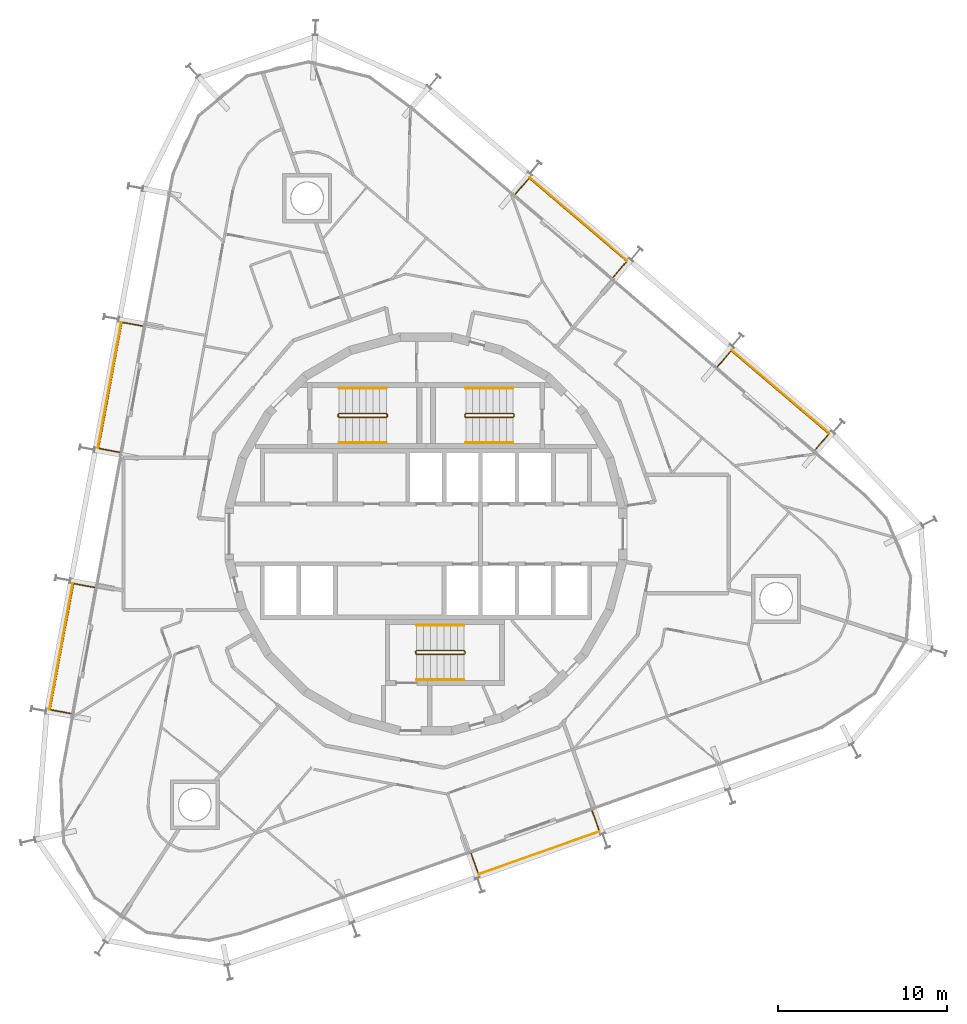
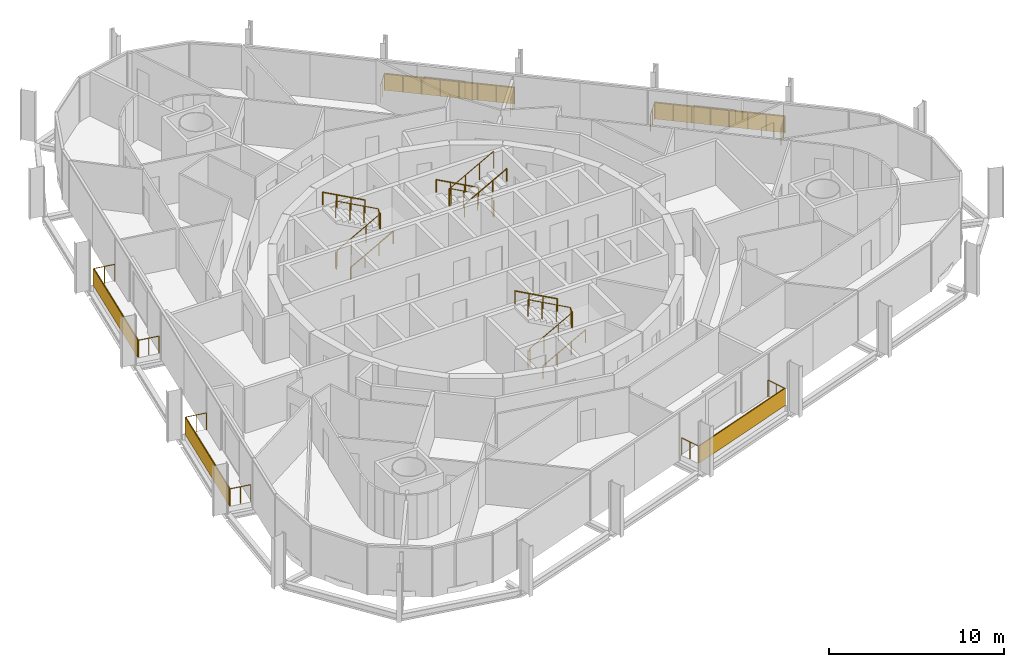
# One storey, part 17 of 17: 14 railings, 5 shading devices.
"""IFC4 building model written with IfcOpenShell, lengths in metres."""

from ifc_helpers import new_model, si_unit, direction, frame, origin, origin_2d, place, context, subcontext, project, spatial, rectangle, circle, extrude, material, layer, layer_set, type_object, element, save


model = new_model("IFC4")

# Units and contexts
model_context = context("Model", 3, precision=1e-05, world=origin(), true_north=direction((0.0, 1.0)))
body_context = subcontext(model_context, "Body", "Model", "MODEL_VIEW")
ifc_project = project(units=[si_unit("LENGTHUNIT", "METRE"), si_unit("AREAUNIT", "SQUARE_METRE"), si_unit("VOLUMEUNIT", "CUBIC_METRE"), si_unit("PLANEANGLEUNIT", "RADIAN"), si_unit("MASSUNIT", "GRAM", prefix="KILO")], contexts=[model_context])

# Site, building, storey
site_placement = place(None, origin())
site = spatial("IfcSite", under=ifc_project, at=site_placement, CompositionType="ELEMENT")
building_placement = place(site_placement, origin())
building = spatial("IfcBuilding", under=site, at=building_placement, Name="Spindle Arch Residences", CompositionType="ELEMENT")
storey_placement = place(building_placement, frame((0.0, 0.0, 162.199951171875)))
storey = spatial("IfcBuildingStorey", under=building, at=storey_placement, Name="L40", CompositionType="ELEMENT", Elevation=162.199951171875)

# Railings
ifc_material_1 = material(Name="Bronze anodised aluminium guard with glass infill", Category="aluminium")
railing_type_1 = type_object("IfcRailingType", Name="Balcony guard 1200", PredefinedType="GUARDRAIL", material=ifc_material_1)
railing_1_placement = place(storey_placement, frame((23.014404296875, 4.966064453125, 0.0)))
element("IfcRailing", 1, at=railing_1_placement, inside=storey, type_object=railing_type_1, Name="Guard L40 bay 6", PredefinedType="GUARDRAIL", context=body_context, shape_type="SweptSolid", body=[
    extrude(circle(Radius=0.02392578125, at=origin_2d()), frame((0.0, 0.0, 1.17578125), z_axis=(0.64956818112, 0.760303346091, 0.0), x_axis=(-0.760303346091, 0.64956818112, 0.0)), (0.0, 0.0, 1.0), 1.25),
    extrude(circle(Radius=0.02392578125, at=origin_2d()), frame((0.81201171875, 0.950439453125, 1.17578125), z_axis=(-0.760411072194, 0.64944206923, 0.0), x_axis=(-0.64944206923, -0.760411072194, 0.0)), (0.0, 0.0, 1.0), 7.59033203125),
    extrude(circle(Radius=0.02392578125, at=origin_2d()), frame((-4.959716796875, 5.8798828125, 1.17578125), z_axis=(-0.64945526422, -0.760399802589, 0.0), x_axis=(0.760399802589, -0.64945526422, 0.0)), (0.0, 0.0, 1.0), 1.25),
    extrude(circle(Radius=0.02099609375, at=origin_2d()), origin(), (0.0, 0.0, 1.0), 1.15185546875),
    extrude(circle(Radius=0.02099609375, at=origin_2d()), frame((0.406005859375, 0.47509765625, 0.0)), (0.0, 0.0, 1.0), 1.15185546875),
    extrude(circle(Radius=0.02099609375, at=origin_2d()), frame((0.81201171875, 0.950439453125, 0.0)), (0.0, 0.0, 1.0), 1.15185546875),
    extrude(circle(Radius=0.02099609375, at=origin_2d()), frame((-0.012451171875, 1.654541015625, 0.0)), (0.0, 0.0, 1.0), 1.15185546875),
    extrude(circle(Radius=0.02099609375, at=origin_2d()), frame((-0.837158203125, 2.35888671875, 0.0)), (0.0, 0.0, 1.0), 1.15185546875),
    extrude(circle(Radius=0.02099609375, at=origin_2d()), frame((-1.66162109375, 3.06298828125, 0.0)), (0.0, 0.0, 1.0), 1.15185546875),
    extrude(circle(Radius=0.02099609375, at=origin_2d()), frame((-2.486083984375, 3.767333984375, 0.0)), (0.0, 0.0, 1.0), 1.15185546875),
    extrude(circle(Radius=0.02099609375, at=origin_2d()), frame((-3.310546875, 4.471435546875, 0.0)), (0.0, 0.0, 1.0), 1.15185546875),
    extrude(circle(Radius=0.02099609375, at=origin_2d()), frame((-4.13525390625, 5.17578125, 0.0)), (0.0, 0.0, 1.0), 1.15185546875),
    extrude(circle(Radius=0.02099609375, at=origin_2d()), frame((-4.959716796875, 5.8798828125, 0.0)), (0.0, 0.0, 1.0), 1.15185546875),
    extrude(circle(Radius=0.02099609375, at=origin_2d()), frame((-5.36572265625, 5.40478515625, 0.0)), (0.0, 0.0, 1.0), 1.15185546875),
    extrude(circle(Radius=0.02099609375, at=origin_2d()), frame((-5.771484375, 4.929443359375, 0.0)), (0.0, 0.0, 1.0), 1.15185546875),
])
railing_2_placement = place(storey_placement, frame((11.060791015625, 15.175537109375, 0.0)))
element("IfcRailing", 2, at=railing_2_placement, inside=storey, type_object=railing_type_1, Name="Guard L40 bay 8", PredefinedType="GUARDRAIL", context=body_context, shape_type="SweptSolid", body=[
    extrude(circle(Radius=0.02392578125, at=origin_2d()), frame((0.0, 0.0, 1.17578125), z_axis=(0.64945526422, 0.760399802589, 0.0), x_axis=(-0.760399802589, 0.64945526422, 0.0)), (0.0, 0.0, 1.0), 1.25),
    extrude(circle(Radius=0.02392578125, at=origin_2d()), frame((0.811767578125, 0.950439453125, 1.17578125), z_axis=(-0.760397505333, 0.649457953899, 0.0), x_axis=(-0.649457953899, -0.760397505333, 0.0)), (0.0, 0.0, 1.0), 7.590087890625),
    extrude(circle(Radius=0.02392578125, at=origin_2d()), frame((-4.959716796875, 5.8798828125, 1.17578125), z_axis=(-0.64945526422, -0.760399802589, 0.0), x_axis=(0.760399802589, -0.64945526422, 0.0)), (0.0, 0.0, 1.0), 1.25),
    extrude(circle(Radius=0.02099609375, at=origin_2d()), origin(), (0.0, 0.0, 1.0), 1.15185546875),
    extrude(circle(Radius=0.02099609375, at=origin_2d()), frame((0.40576171875, 0.47509765625, 0.0)), (0.0, 0.0, 1.0), 1.15185546875),
    extrude(circle(Radius=0.02099609375, at=origin_2d()), frame((0.811767578125, 0.950439453125, 0.0)), (0.0, 0.0, 1.0), 1.15185546875),
    extrude(circle(Radius=0.02099609375, at=origin_2d()), frame((-0.0126953125, 1.654541015625, 0.0)), (0.0, 0.0, 1.0), 1.15185546875),
    extrude(circle(Radius=0.02099609375, at=origin_2d()), frame((-0.837158203125, 2.35888671875, 0.0)), (0.0, 0.0, 1.0), 1.15185546875),
    extrude(circle(Radius=0.02099609375, at=origin_2d()), frame((-1.66162109375, 3.06298828125, 0.0)), (0.0, 0.0, 1.0), 1.15185546875),
    extrude(circle(Radius=0.02099609375, at=origin_2d()), frame((-2.486328125, 3.767333984375, 0.0)), (0.0, 0.0, 1.0), 1.15185546875),
    extrude(circle(Radius=0.02099609375, at=origin_2d()), frame((-3.310791015625, 4.471435546875, 0.0)), (0.0, 0.0, 1.0), 1.15185546875),
    extrude(circle(Radius=0.02099609375, at=origin_2d()), frame((-4.13525390625, 5.17578125, 0.0)), (0.0, 0.0, 1.0), 1.15185546875),
    extrude(circle(Radius=0.02099609375, at=origin_2d()), frame((-4.959716796875, 5.8798828125, 0.0)), (0.0, 0.0, 1.0), 1.15185546875),
    extrude(circle(Radius=0.02099609375, at=origin_2d()), frame((-5.36572265625, 5.40478515625, 0.0)), (0.0, 0.0, 1.0), 1.15185546875),
    extrude(circle(Radius=0.02099609375, at=origin_2d()), frame((-5.771484375, 4.929443359375, 0.0)), (0.0, 0.0, 1.0), 1.15185546875),
])
railing_3_placement = place(storey_placement, frame((-16.762939453125, 12.2958984375, 0.0)))
element("IfcRailing", 3, at=railing_3_placement, inside=storey, type_object=railing_type_1, Name="Guard L40 bay 14", PredefinedType="GUARDRAIL", context=body_context, shape_type="SweptSolid", body=[
    extrude(circle(Radius=0.02392578125, at=origin_2d()), frame((0.0, 0.0, 1.17578125), z_axis=(-0.983254793894, 0.182236138797, 0.0), x_axis=(-0.182236138797, -0.983254793894, 0.0)), (0.0, 0.0, 1.0), 1.25),
    extrude(circle(Radius=0.02392578125, at=origin_2d()), frame((-1.22900390625, 0.227783203125, 1.17578125), z_axis=(-0.18224705418, -0.983252770778, 0.0), x_axis=(0.983252770778, -0.18224705418, 0.0)), (0.0, 0.0, 1.0), 7.59033203125),
    extrude(circle(Radius=0.02392578125, at=origin_2d()), frame((-2.6123046875, -7.2353515625, 1.17578125), z_axis=(0.983261278697, -0.182201146579, 0.0), x_axis=(0.182201146579, 0.983261278697, 0.0)), (0.0, 0.0, 1.0), 1.250244140625),
    extrude(circle(Radius=0.02099609375, at=origin_2d()), origin(), (0.0, 0.0, 1.0), 1.15185546875),
    extrude(circle(Radius=0.02099609375, at=origin_2d()), frame((-0.614501953125, 0.11376953125, 0.0)), (0.0, 0.0, 1.0), 1.15185546875),
    extrude(circle(Radius=0.02099609375, at=origin_2d()), frame((-1.22900390625, 0.227783203125, 0.0)), (0.0, 0.0, 1.0), 1.15185546875),
    extrude(circle(Radius=0.02099609375, at=origin_2d()), frame((-1.426513671875, -0.83837890625, 0.0)), (0.0, 0.0, 1.0), 1.15185546875),
    extrude(circle(Radius=0.02099609375, at=origin_2d()), frame((-1.624267578125, -1.904541015625, 0.0)), (0.0, 0.0, 1.0), 1.15185546875),
    extrude(circle(Radius=0.02099609375, at=origin_2d()), frame((-1.82177734375, -2.970703125, 0.0)), (0.0, 0.0, 1.0), 1.15185546875),
    extrude(circle(Radius=0.02099609375, at=origin_2d()), frame((-2.01953125, -4.036865234375, 0.0)), (0.0, 0.0, 1.0), 1.15185546875),
    extrude(circle(Radius=0.02099609375, at=origin_2d()), frame((-2.217041015625, -5.10302734375, 0.0)), (0.0, 0.0, 1.0), 1.15185546875),
    extrude(circle(Radius=0.02099609375, at=origin_2d()), frame((-2.414794921875, -6.169189453125, 0.0)), (0.0, 0.0, 1.0), 1.15185546875),
    extrude(circle(Radius=0.02099609375, at=origin_2d()), frame((-2.6123046875, -7.2353515625, 0.0)), (0.0, 0.0, 1.0), 1.15185546875),
    extrude(circle(Radius=0.02099609375, at=origin_2d()), frame((-1.99755859375, -7.34912109375, 0.0)), (0.0, 0.0, 1.0), 1.15185546875),
    extrude(circle(Radius=0.02099609375, at=origin_2d()), frame((-1.383056640625, -7.463134765625, 0.0)), (0.0, 0.0, 1.0), 1.15185546875),
])
railing_4_placement = place(storey_placement, frame((-19.627685546875, -3.1611328125, 0.0)))
element("IfcRailing", 4, at=railing_4_placement, inside=storey, type_object=railing_type_1, Name="Guard L40 bay 16", PredefinedType="GUARDRAIL", context=body_context, shape_type="SweptSolid", body=[
    extrude(circle(Radius=0.02392578125, at=origin_2d()), frame((0.0, 0.0, 1.17578125), z_axis=(-0.983254793894, 0.182236138797, 0.0), x_axis=(-0.182236138797, -0.983254793894, 0.0)), (0.0, 0.0, 1.0), 1.25),
    extrude(circle(Radius=0.02392578125, at=origin_2d()), frame((-1.22900390625, 0.227783203125, 1.17578125), z_axis=(-0.182252818169, -0.983251702398, 0.0), x_axis=(0.983251702398, -0.182252818169, 0.0)), (0.0, 0.0, 1.0), 7.590087890625),
    extrude(circle(Radius=0.02392578125, at=origin_2d()), frame((-2.6123046875, -7.235107421875, 1.17578125), z_axis=(0.983254793894, -0.182236138797, 0.0), x_axis=(0.182236138797, 0.983254793894, 0.0)), (0.0, 0.0, 1.0), 1.25),
    extrude(circle(Radius=0.02099609375, at=origin_2d()), origin(), (0.0, 0.0, 1.0), 1.15185546875),
    extrude(circle(Radius=0.02099609375, at=origin_2d()), frame((-0.614501953125, 0.11376953125, 0.0)), (0.0, 0.0, 1.0), 1.15185546875),
    extrude(circle(Radius=0.02099609375, at=origin_2d()), frame((-1.22900390625, 0.227783203125, 0.0)), (0.0, 0.0, 1.0), 1.15185546875),
    extrude(circle(Radius=0.02099609375, at=origin_2d()), frame((-1.426513671875, -0.83837890625, 0.0)), (0.0, 0.0, 1.0), 1.15185546875),
    extrude(circle(Radius=0.02099609375, at=origin_2d()), frame((-1.624267578125, -1.904541015625, 0.0)), (0.0, 0.0, 1.0), 1.15185546875),
    extrude(circle(Radius=0.02099609375, at=origin_2d()), frame((-1.82177734375, -2.970703125, 0.0)), (0.0, 0.0, 1.0), 1.15185546875),
    extrude(circle(Radius=0.02099609375, at=origin_2d()), frame((-2.01953125, -4.03662109375, 0.0)), (0.0, 0.0, 1.0), 1.15185546875),
    extrude(circle(Radius=0.02099609375, at=origin_2d()), frame((-2.217041015625, -5.102783203125, 0.0)), (0.0, 0.0, 1.0), 1.15185546875),
    extrude(circle(Radius=0.02099609375, at=origin_2d()), frame((-2.414794921875, -6.1689453125, 0.0)), (0.0, 0.0, 1.0), 1.15185546875),
    extrude(circle(Radius=0.02099609375, at=origin_2d()), frame((-2.6123046875, -7.235107421875, 0.0)), (0.0, 0.0, 1.0), 1.15185546875),
    extrude(circle(Radius=0.02099609375, at=origin_2d()), frame((-1.997802734375, -7.34912109375, 0.0)), (0.0, 0.0, 1.0), 1.15185546875),
    extrude(circle(Radius=0.02099609375, at=origin_2d()), frame((-1.38330078125, -7.462890625, 0.0)), (0.0, 0.0, 1.0), 1.15185546875),
])
railing_5_placement = place(storey_placement, frame((2.672607421875, -18.915771484375, 0.0)))
element("IfcRailing", 5, at=railing_5_placement, inside=storey, type_object=railing_type_1, Name="Guard L40 bay 22", PredefinedType="GUARDRAIL", context=body_context, shape_type="SweptSolid", body=[
    extrude(circle(Radius=0.02392578125, at=origin_2d()), frame((0.0, 0.0, 1.17578125), z_axis=(0.333749533427, -0.942661789263, 0.0), x_axis=(0.942661789263, 0.333749533427, 0.0)), (0.0, 0.0, 1.0), 1.250244140625),
    extrude(circle(Radius=0.02392578125, at=origin_2d()), frame((0.417236328125, -1.178466796875, 1.17578125), z_axis=(0.942635871189, 0.333822728927, 0.0), x_axis=(-0.333822728927, 0.942635871189, 0.0)), (0.0, 0.0, 1.0), 7.58984375),
    extrude(circle(Radius=0.02392578125, at=origin_2d()), frame((7.57177734375, 1.355224609375, 1.17578125), z_axis=(-0.333810984592, 0.942640030216, 0.0), x_axis=(-0.942640030216, -0.333810984592, 0.0)), (0.0, 0.0, 1.0), 1.25),
    extrude(circle(Radius=0.02099609375, at=origin_2d()), origin(), (0.0, 0.0, 1.0), 1.15185546875),
    extrude(circle(Radius=0.02099609375, at=origin_2d()), frame((0.20849609375, -0.58935546875, 0.0)), (0.0, 0.0, 1.0), 1.15185546875),
    extrude(circle(Radius=0.02099609375, at=origin_2d()), frame((0.417236328125, -1.178466796875, 0.0)), (0.0, 0.0, 1.0), 1.15185546875),
    extrude(circle(Radius=0.02099609375, at=origin_2d()), frame((1.439208984375, -0.81640625, 0.0)), (0.0, 0.0, 1.0), 1.15185546875),
    extrude(circle(Radius=0.02099609375, at=origin_2d()), frame((2.46142578125, -0.45458984375, 0.0)), (0.0, 0.0, 1.0), 1.15185546875),
    extrude(circle(Radius=0.02099609375, at=origin_2d()), frame((3.4833984375, -0.092529296875, 0.0)), (0.0, 0.0, 1.0), 1.15185546875),
    extrude(circle(Radius=0.02099609375, at=origin_2d()), frame((4.505615234375, 0.269287109375, 0.0)), (0.0, 0.0, 1.0), 1.15185546875),
    extrude(circle(Radius=0.02099609375, at=origin_2d()), frame((5.527587890625, 0.63134765625, 0.0)), (0.0, 0.0, 1.0), 1.15185546875),
    extrude(circle(Radius=0.02099609375, at=origin_2d()), frame((6.5498046875, 0.9931640625, 0.0)), (0.0, 0.0, 1.0), 1.15185546875),
    extrude(circle(Radius=0.02099609375, at=origin_2d()), frame((7.57177734375, 1.355224609375, 0.0)), (0.0, 0.0, 1.0), 1.15185546875),
    extrude(circle(Radius=0.02099609375, at=origin_2d()), frame((7.36328125, 1.9443359375, 0.0)), (0.0, 0.0, 1.0), 1.15185546875),
    extrude(circle(Radius=0.02099609375, at=origin_2d()), frame((7.154541015625, 2.533447265625, 0.0)), (0.0, 0.0, 1.0), 1.15185546875),
])

# Shading devices
ifc_material_2 = material(Name="Bronze perforated cobogo screen")
ifc_layer = layer(ifc_material_2, 0.0390625)
ifc_layer_set = layer_set([ifc_layer], Name="Cobogo screen 1200")
shading_device_type = type_object("IfcShadingDeviceType", Name="Cobogo screen 1200", PredefinedType="USERDEFINED", material=ifc_layer_set)
for number, where, z_axis, x_axis, name in (
    (6, (20.966796875, 8.412109375, 0.0), (0.0, 0.0, 1.0), (-0.7604059656, 0.64944804833, 0.0), "Cobogo screen L40 bay 6"),
    (7, (9.01318359375, 18.62158203125, 0.0), (0.0, 0.0, 1.0), (-0.7604059656, 0.64944804833, 0.0), "Cobogo screen L40 bay 8"),
    (8, (-18.723388671875, 8.799560546875, 0.0), (0.0, 0.0, 1.0), (-0.182235525492, -0.983254907564, 0.0), "Cobogo screen L40 bay 14"),
    (9, (-21.588134765625, -6.657470703125, 0.0), (0.0, 0.0, 1.0), (-0.182235525492, -0.983254907564, 0.0), "Cobogo screen L40 bay 16"),
    (10, (6.6806640625, -18.865478515625, 0.0), (0.0, 0.0, 1.0), (0.942641491092, 0.333806859234, 0.0), "Cobogo screen L40 bay 22"),
):
    element("IfcShadingDevice", number, at=place(storey_placement, frame(where, z_axis=z_axis, x_axis=x_axis)), inside=storey, type_object=shading_device_type, Name=name, ObjectType="SCREEN", PredefinedType="USERDEFINED", context=body_context, shape_type="SweptSolid", body=[
        extrude(rectangle(XDim=7.590087890625, YDim=0.0390625, at=origin_2d()), origin(), (0.0, 0.0, 1.0), 1.199951171875),
    ])

# Railings
ifc_material_3 = material(Name="Steel, painted", Category="steel")
railing_type_2 = type_object("IfcRailingType", Name="Stair guard 1100", PredefinedType="GUARDRAIL", material=ifc_material_3)
railing_6_placement = place(storey_placement, frame((5.14990234375, 6.89990234375, 3.5)))
element("IfcRailing", 11, at=railing_6_placement, inside=storey, type_object=railing_type_2, Name="L40 ST1 stair guard 1", PredefinedType="GUARDRAIL", context=body_context, shape_type="SweptSolid", body=[
    extrude(circle(Radius=0.02392578125, at=origin_2d()), frame((0.0, 0.0, 1.17578125), z_axis=(-0.877357048833, 0.0, -0.479838106931), x_axis=(0.0, -1.0, 0.0)), (0.0, 0.0, 1.0), 3.191162109375),
    extrude(circle(Radius=0.02392578125, at=origin_2d()), frame((-2.7998046875, 0.0, -0.35546875), z_axis=(-0.217683172539, 0.217683172539, -0.951434744366), x_axis=(-0.707106781187, -0.707106781187, 0.0)), (0.0, 0.0, 1.0), 0.22998046875),
    extrude(circle(Radius=0.02392578125, at=origin_2d()), frame((-2.849853515625, 0.050048828125, -0.57421875), z_axis=(0.0, 1.0, 0.0), x_axis=(-1.0, 0.0, 0.0)), (0.0, 0.0, 1.0), 0.1201171875),
    extrude(circle(Radius=0.02392578125, at=origin_2d()), frame((-2.849853515625, 0.170166015625, -0.57421875), z_axis=(0.707106781187, 0.707106781187, 0.0), x_axis=(-0.707106781187, 0.707106781187, 0.0)), (0.0, 0.0, 1.0), 0.07080078125),
    extrude(circle(Radius=0.02392578125, at=origin_2d()), frame((-2.7998046875, 0.22021484375, -0.57421875), z_axis=(0.877357048833, 0.0, -0.479838106931), x_axis=(0.0, 1.0, 0.0)), (0.0, 0.0, 1.0), 3.191162109375),
    extrude(circle(Radius=0.02392578125, at=origin_2d()), frame((0.0, 0.22021484375, -2.10546875), z_axis=(0.217683172539, -0.217683172539, -0.951434744366), x_axis=(0.707106781187, 0.707106781187, 0.0)), (0.0, 0.0, 1.0), 0.22998046875),
    extrude(circle(Radius=0.02392578125, at=origin_2d()), frame((0.050048828125, 0.170166015625, -2.32421875), z_axis=(0.0, -1.0, 0.0), x_axis=(1.0, 0.0, 0.0)), (0.0, 0.0, 1.0), 0.1201171875),
    extrude(circle(Radius=0.02099609375, at=origin_2d()), origin(), (0.0, 0.0, 1.0), 1.15185546875),
    extrude(circle(Radius=0.02099609375, at=origin_2d()), frame((-0.933349609375, 0.0, -0.510498046875)), (0.0, 0.0, 1.0), 1.15185546875),
    extrude(circle(Radius=0.02099609375, at=origin_2d()), frame((-1.866455078125, 0.0, -1.020751953125)), (0.0, 0.0, 1.0), 1.15185546875),
    extrude(circle(Radius=0.02099609375, at=origin_2d()), frame((-2.7998046875, 0.0, -1.53125)), (0.0, 0.0, 1.0), 1.15185546875),
    extrude(circle(Radius=0.02099609375, at=origin_2d()), frame((-2.849853515625, 0.050048828125, -1.75)), (0.0, 0.0, 1.0), 1.15185546875),
    extrude(circle(Radius=0.02099609375, at=origin_2d()), frame((-2.849853515625, 0.170166015625, -1.75)), (0.0, 0.0, 1.0), 1.15185546875),
    extrude(circle(Radius=0.02099609375, at=origin_2d()), frame((-2.7998046875, 0.22021484375, -1.75)), (0.0, 0.0, 1.0), 1.15185546875),
    extrude(circle(Radius=0.02099609375, at=origin_2d()), frame((-1.866455078125, 0.22021484375, -2.260498046875)), (0.0, 0.0, 1.0), 1.15185546875),
    extrude(circle(Radius=0.02099609375, at=origin_2d()), frame((-0.933349609375, 0.22021484375, -2.770751953125)), (0.0, 0.0, 1.0), 1.15185546875),
    extrude(circle(Radius=0.02099609375, at=origin_2d()), frame((0.0, 0.22021484375, -3.28125)), (0.0, 0.0, 1.0), 1.15185546875),
    extrude(circle(Radius=0.02099609375, at=origin_2d()), frame((0.050048828125, 0.170166015625, -3.5)), (0.0, 0.0, 1.0), 1.15185546875),
    extrude(circle(Radius=0.02099609375, at=origin_2d()), frame((0.050048828125, 0.050048828125, -3.5)), (0.0, 0.0, 1.0), 1.15185546875),
])
railing_7_placement = place(storey_placement, frame((-5.14990234375, 7.1201171875, 3.5)))
element("IfcRailing", 12, at=railing_7_placement, inside=storey, type_object=railing_type_2, Name="L40 ST2 stair guard 1", PredefinedType="GUARDRAIL", context=body_context, shape_type="SweptSolid", body=[
    extrude(circle(Radius=0.02392578125, at=origin_2d()), frame((0.0, 0.0, 1.17578125), z_axis=(0.877357048833, 0.0, -0.479838106931), x_axis=(0.0, 1.0, 0.0)), (0.0, 0.0, 1.0), 3.191162109375),
    extrude(circle(Radius=0.02392578125, at=origin_2d()), frame((2.7998046875, 0.0, -0.35546875), z_axis=(0.217683172539, -0.217683172539, -0.951434744366), x_axis=(0.707106781187, 0.707106781187, 0.0)), (0.0, 0.0, 1.0), 0.22998046875),
    extrude(circle(Radius=0.02392578125, at=origin_2d()), frame((2.849853515625, -0.050048828125, -0.57421875), z_axis=(0.0, -1.0, 0.0), x_axis=(1.0, 0.0, 0.0)), (0.0, 0.0, 1.0), 0.1201171875),
    extrude(circle(Radius=0.02392578125, at=origin_2d()), frame((2.849853515625, -0.170166015625, -0.57421875), z_axis=(-0.707106781187, -0.707106781187, 0.0), x_axis=(0.707106781187, -0.707106781187, 0.0)), (0.0, 0.0, 1.0), 0.07080078125),
    extrude(circle(Radius=0.02392578125, at=origin_2d()), frame((2.7998046875, -0.22021484375, -0.57421875), z_axis=(-0.877357048833, 0.0, -0.479838106931), x_axis=(0.0, -1.0, 0.0)), (0.0, 0.0, 1.0), 3.191162109375),
    extrude(circle(Radius=0.02392578125, at=origin_2d()), frame((0.0, -0.22021484375, -2.10546875), z_axis=(-0.217683172539, 0.217683172539, -0.951434744366), x_axis=(-0.707106781187, -0.707106781187, 0.0)), (0.0, 0.0, 1.0), 0.22998046875),
    extrude(circle(Radius=0.02392578125, at=origin_2d()), frame((-0.050048828125, -0.170166015625, -2.32421875), z_axis=(0.0, 1.0, 0.0), x_axis=(-1.0, 0.0, 0.0)), (0.0, 0.0, 1.0), 0.1201171875),
    extrude(circle(Radius=0.02099609375, at=origin_2d()), origin(), (0.0, 0.0, 1.0), 1.15185546875),
    extrude(circle(Radius=0.02099609375, at=origin_2d()), frame((0.933349609375, 0.0, -0.510498046875)), (0.0, 0.0, 1.0), 1.15185546875),
    extrude(circle(Radius=0.02099609375, at=origin_2d()), frame((1.866455078125, 0.0, -1.020751953125)), (0.0, 0.0, 1.0), 1.15185546875),
    extrude(circle(Radius=0.02099609375, at=origin_2d()), frame((2.7998046875, 0.0, -1.53125)), (0.0, 0.0, 1.0), 1.15185546875),
    extrude(circle(Radius=0.02099609375, at=origin_2d()), frame((2.849853515625, -0.050048828125, -1.75)), (0.0, 0.0, 1.0), 1.15185546875),
    extrude(circle(Radius=0.02099609375, at=origin_2d()), frame((2.849853515625, -0.170166015625, -1.75)), (0.0, 0.0, 1.0), 1.15185546875),
    extrude(circle(Radius=0.02099609375, at=origin_2d()), frame((2.7998046875, -0.22021484375, -1.75)), (0.0, 0.0, 1.0), 1.15185546875),
    extrude(circle(Radius=0.02099609375, at=origin_2d()), frame((1.866455078125, -0.22021484375, -2.260498046875)), (0.0, 0.0, 1.0), 1.15185546875),
    extrude(circle(Radius=0.02099609375, at=origin_2d()), frame((0.933349609375, -0.22021484375, -2.770751953125)), (0.0, 0.0, 1.0), 1.15185546875),
    extrude(circle(Radius=0.02099609375, at=origin_2d()), frame((0.0, -0.22021484375, -3.28125)), (0.0, 0.0, 1.0), 1.15185546875),
    extrude(circle(Radius=0.02099609375, at=origin_2d()), frame((-0.050048828125, -0.170166015625, -3.5)), (0.0, 0.0, 1.0), 1.15185546875),
    extrude(circle(Radius=0.02099609375, at=origin_2d()), frame((-0.050048828125, -0.050048828125, -3.5)), (0.0, 0.0, 1.0), 1.15185546875),
])
railing_8_placement = place(storey_placement, frame((-0.550048828125, -6.89990234375, 3.5)))
element("IfcRailing", 13, at=railing_8_placement, inside=storey, type_object=railing_type_2, Name="L40 ST3 stair guard 1", PredefinedType="GUARDRAIL", context=body_context, shape_type="SweptSolid", body=[
    extrude(circle(Radius=0.02392578125, at=origin_2d()), frame((0.0, 0.0, 1.17578125), z_axis=(0.877374661878, 0.0, -0.479805901063), x_axis=(0.0, 1.0, 0.0)), (0.0, 0.0, 1.0), 3.19140625),
    extrude(circle(Radius=0.02392578125, at=origin_2d()), frame((2.800048828125, 0.0, -0.35546875), z_axis=(0.217683172539, -0.217683172539, -0.951434744366), x_axis=(0.707106781187, 0.707106781187, 0.0)), (0.0, 0.0, 1.0), 0.22998046875),
    extrude(circle(Radius=0.02392578125, at=origin_2d()), frame((2.85009765625, -0.050048828125, -0.57421875), z_axis=(0.0, -1.0, 0.0), x_axis=(1.0, 0.0, 0.0)), (0.0, 0.0, 1.0), 0.1201171875),
    extrude(circle(Radius=0.02392578125, at=origin_2d()), frame((2.85009765625, -0.170166015625, -0.57421875), z_axis=(-0.707106781187, -0.707106781187, 0.0), x_axis=(0.707106781187, -0.707106781187, 0.0)), (0.0, 0.0, 1.0), 0.07080078125),
    extrude(circle(Radius=0.02392578125, at=origin_2d()), frame((2.800048828125, -0.22021484375, -0.57421875), z_axis=(-0.877374661878, 0.0, -0.479805901063), x_axis=(0.0, -1.0, 0.0)), (0.0, 0.0, 1.0), 3.19140625),
    extrude(circle(Radius=0.02392578125, at=origin_2d()), frame((0.0, -0.22021484375, -2.10546875), z_axis=(-0.217683172539, 0.217683172539, -0.951434744366), x_axis=(-0.707106781187, -0.707106781187, 0.0)), (0.0, 0.0, 1.0), 0.22998046875),
    extrude(circle(Radius=0.02392578125, at=origin_2d()), frame((-0.050048828125, -0.170166015625, -2.32421875), z_axis=(0.0, 1.0, 0.0), x_axis=(-1.0, 0.0, 0.0)), (0.0, 0.0, 1.0), 0.1201171875),
    extrude(circle(Radius=0.02099609375, at=origin_2d()), origin(), (0.0, 0.0, 1.0), 1.15185546875),
    extrude(circle(Radius=0.02099609375, at=origin_2d()), frame((0.933349609375, 0.0, -0.510498046875)), (0.0, 0.0, 1.0), 1.15185546875),
    extrude(circle(Radius=0.02099609375, at=origin_2d()), frame((1.86669921875, 0.0, -1.020751953125)), (0.0, 0.0, 1.0), 1.15185546875),
    extrude(circle(Radius=0.02099609375, at=origin_2d()), frame((2.800048828125, 0.0, -1.53125)), (0.0, 0.0, 1.0), 1.15185546875),
    extrude(circle(Radius=0.02099609375, at=origin_2d()), frame((2.85009765625, -0.050048828125, -1.75)), (0.0, 0.0, 1.0), 1.15185546875),
    extrude(circle(Radius=0.02099609375, at=origin_2d()), frame((2.85009765625, -0.170166015625, -1.75)), (0.0, 0.0, 1.0), 1.15185546875),
    extrude(circle(Radius=0.02099609375, at=origin_2d()), frame((2.800048828125, -0.22021484375, -1.75)), (0.0, 0.0, 1.0), 1.15185546875),
    extrude(circle(Radius=0.02099609375, at=origin_2d()), frame((1.86669921875, -0.22021484375, -2.260498046875)), (0.0, 0.0, 1.0), 1.15185546875),
    extrude(circle(Radius=0.02099609375, at=origin_2d()), frame((0.933349609375, -0.22021484375, -2.770751953125)), (0.0, 0.0, 1.0), 1.15185546875),
    extrude(circle(Radius=0.02099609375, at=origin_2d()), frame((0.0, -0.22021484375, -3.28125)), (0.0, 0.0, 1.0), 1.15185546875),
    extrude(circle(Radius=0.02099609375, at=origin_2d()), frame((-0.050048828125, -0.170166015625, -3.5)), (0.0, 0.0, 1.0), 1.15185546875),
    extrude(circle(Radius=0.02099609375, at=origin_2d()), frame((-0.050048828125, -0.050048828125, -3.5)), (0.0, 0.0, 1.0), 1.15185546875),
])
ifc_material_4 = material(Name="Steel, painted", Category="steel")
railing_type_3 = type_object("IfcRailingType", Name="Stair handrail 900", PredefinedType="HANDRAIL", material=ifc_material_4)
railing_9_placement = place(storey_placement, frame((5.14990234375, 8.6201171875, 0.21875)))
element("IfcRailing", 14, at=railing_9_placement, inside=storey, type_object=railing_type_3, Name="L40 ST1 stair handrail 1", PredefinedType="HANDRAIL", context=body_context, shape_type="SweptSolid", body=[
    extrude(circle(Radius=0.02392578125, at=origin_2d()), frame((0.0, 0.0, 0.8759765625), z_axis=(-0.877357048833, 0.0, 0.479838106931), x_axis=(0.0, -1.0, 0.0)), (0.0, 0.0, 1.0), 3.191162109375),
    extrude(circle(Radius=0.02099609375, at=origin_2d()), origin(), (0.0, 0.0, 1.0), 0.851806640625),
    extrude(circle(Radius=0.02099609375, at=origin_2d()), frame((-0.933349609375, 0.0, 0.510498046875)), (0.0, 0.0, 1.0), 0.851806640625),
    extrude(circle(Radius=0.02099609375, at=origin_2d()), frame((-1.866455078125, 0.0, 1.020751953125)), (0.0, 0.0, 1.0), 0.851806640625),
    extrude(circle(Radius=0.02099609375, at=origin_2d()), frame((-2.7998046875, 0.0, 1.53125)), (0.0, 0.0, 1.0), 0.851806640625),
])
for number, where, name in (
    (15, (2.35009765625, 5.39990234375, 1.96875), "L40 ST1 stair handrail 2"),
    (16, (-5.14990234375, 5.39990234375, 0.21875), "L40 ST2 stair handrail 1"),
):
    element("IfcRailing", number, at=place(storey_placement, frame(where)), inside=storey, type_object=railing_type_3, Name=name, PredefinedType="HANDRAIL", context=body_context, shape_type="SweptSolid", body=[
        extrude(circle(Radius=0.02392578125, at=origin_2d()), frame((0.0, 0.0, 0.8759765625), z_axis=(0.877357048833, 0.0, 0.479838106931), x_axis=(0.0, 1.0, 0.0)), (0.0, 0.0, 1.0), 3.191162109375),
        extrude(circle(Radius=0.02099609375, at=origin_2d()), origin(), (0.0, 0.0, 1.0), 0.851806640625),
        extrude(circle(Radius=0.02099609375, at=origin_2d()), frame((0.933349609375, 0.0, 0.510498046875)), (0.0, 0.0, 1.0), 0.851806640625),
        extrude(circle(Radius=0.02099609375, at=origin_2d()), frame((1.866455078125, 0.0, 1.020751953125)), (0.0, 0.0, 1.0), 0.851806640625),
        extrude(circle(Radius=0.02099609375, at=origin_2d()), frame((2.7998046875, 0.0, 1.53125)), (0.0, 0.0, 1.0), 0.851806640625),
    ])
railing_10_placement = place(storey_placement, frame((-2.35009765625, 8.6201171875, 1.96875)))
element("IfcRailing", 17, at=railing_10_placement, inside=storey, type_object=railing_type_3, Name="L40 ST2 stair handrail 2", PredefinedType="HANDRAIL", context=body_context, shape_type="SweptSolid", body=[
    extrude(circle(Radius=0.02392578125, at=origin_2d()), frame((0.0, 0.0, 0.8759765625), z_axis=(-0.877357048833, 0.0, 0.479838106931), x_axis=(0.0, -1.0, 0.0)), (0.0, 0.0, 1.0), 3.191162109375),
    extrude(circle(Radius=0.02099609375, at=origin_2d()), origin(), (0.0, 0.0, 1.0), 0.851806640625),
    extrude(circle(Radius=0.02099609375, at=origin_2d()), frame((-0.933349609375, 0.0, 0.510498046875)), (0.0, 0.0, 1.0), 0.851806640625),
    extrude(circle(Radius=0.02099609375, at=origin_2d()), frame((-1.866455078125, 0.0, 1.020751953125)), (0.0, 0.0, 1.0), 0.851806640625),
    extrude(circle(Radius=0.02099609375, at=origin_2d()), frame((-2.7998046875, 0.0, 1.53125)), (0.0, 0.0, 1.0), 0.851806640625),
])
railing_11_placement = place(storey_placement, frame((-0.550048828125, -8.6201171875, 0.21875)))
element("IfcRailing", 18, at=railing_11_placement, inside=storey, type_object=railing_type_3, Name="L40 ST3 stair handrail 1", PredefinedType="HANDRAIL", context=body_context, shape_type="SweptSolid", body=[
    extrude(circle(Radius=0.02392578125, at=origin_2d()), frame((0.0, 0.0, 0.8759765625), z_axis=(0.877374661878, 0.0, 0.479805901063), x_axis=(0.0, 1.0, 0.0)), (0.0, 0.0, 1.0), 3.19140625),
    extrude(circle(Radius=0.02099609375, at=origin_2d()), origin(), (0.0, 0.0, 1.0), 0.851806640625),
    extrude(circle(Radius=0.02099609375, at=origin_2d()), frame((0.933349609375, 0.0, 0.510498046875)), (0.0, 0.0, 1.0), 0.851806640625),
    extrude(circle(Radius=0.02099609375, at=origin_2d()), frame((1.86669921875, 0.0, 1.020751953125)), (0.0, 0.0, 1.0), 0.851806640625),
    extrude(circle(Radius=0.02099609375, at=origin_2d()), frame((2.800048828125, 0.0, 1.53125)), (0.0, 0.0, 1.0), 0.851806640625),
])
railing_12_placement = place(storey_placement, frame((2.25, -5.39990234375, 1.96875)))
element("IfcRailing", 19, at=railing_12_placement, inside=storey, type_object=railing_type_3, Name="L40 ST3 stair handrail 2", PredefinedType="HANDRAIL", context=body_context, shape_type="SweptSolid", body=[
    extrude(circle(Radius=0.02392578125, at=origin_2d()), frame((0.0, 0.0, 0.8759765625), z_axis=(-0.877374661878, 0.0, 0.479805901063), x_axis=(0.0, -1.0, 0.0)), (0.0, 0.0, 1.0), 3.19140625),
    extrude(circle(Radius=0.02099609375, at=origin_2d()), origin(), (0.0, 0.0, 1.0), 0.851806640625),
    extrude(circle(Radius=0.02099609375, at=origin_2d()), frame((-0.933349609375, 0.0, 0.510498046875)), (0.0, 0.0, 1.0), 0.851806640625),
    extrude(circle(Radius=0.02099609375, at=origin_2d()), frame((-1.86669921875, 0.0, 1.020751953125)), (0.0, 0.0, 1.0), 0.851806640625),
    extrude(circle(Radius=0.02099609375, at=origin_2d()), frame((-2.800048828125, 0.0, 1.53125)), (0.0, 0.0, 1.0), 0.851806640625),
])

save(model, "model.ifc")
